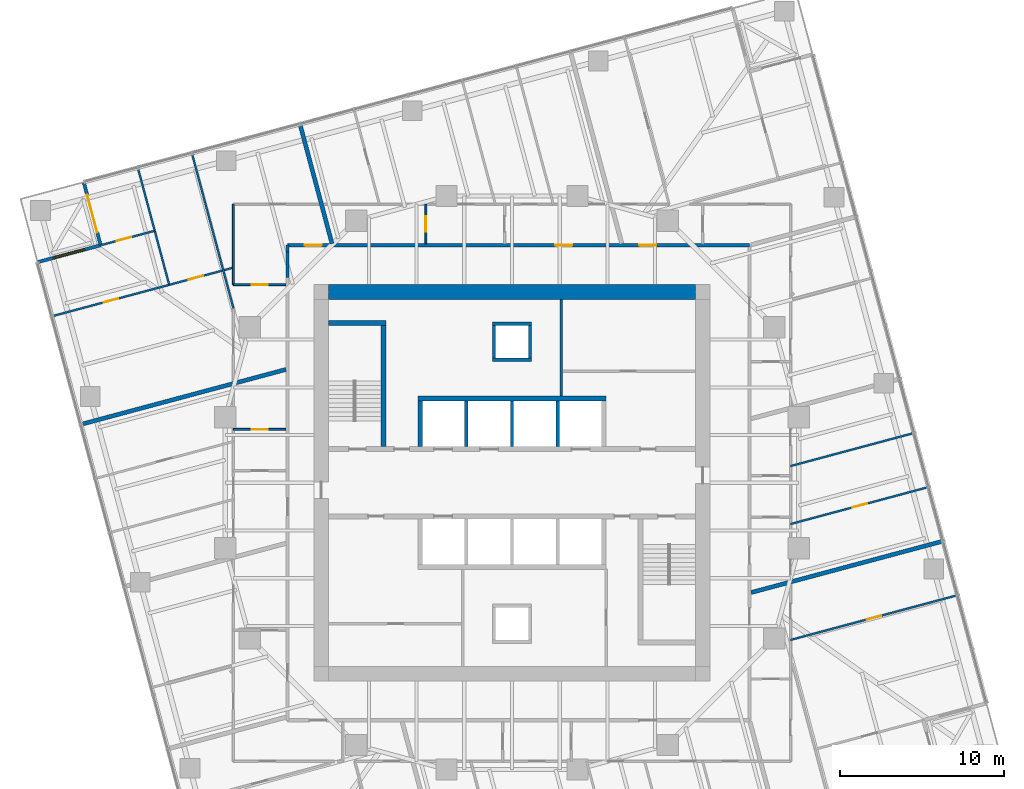
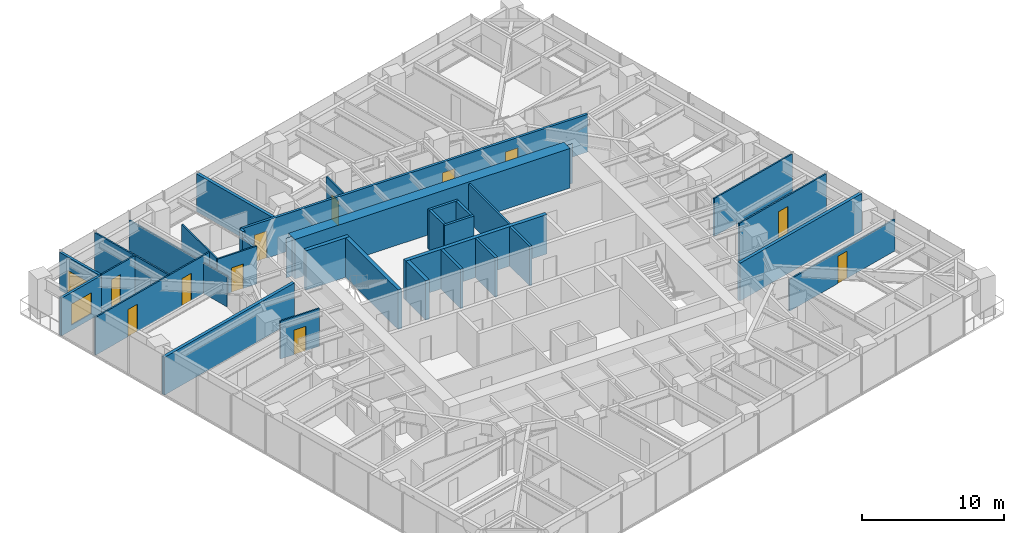
# One storey, part 11 of 14: 32 walls, 12 doors, 1 window, 13 openings.
"""IFC4 building model written with IfcOpenShell, lengths in metres."""

from ifc_helpers import new_model, si_unit, direction, frame, frame_2d, origin, place, context, subcontext, project, spatial, polyline, rectangle, outline, extrude, material, layer, layer_set, type_object, element, fill, save


model = new_model("IFC4")

# Units and contexts
model_context = context("Model", 3, precision=1e-05, world=origin(), true_north=direction((0.0, 1.0)))
body_context = subcontext(model_context, "Body", "Model", "MODEL_VIEW")
ifc_project = project(units=[si_unit("LENGTHUNIT", "METRE"), si_unit("AREAUNIT", "SQUARE_METRE"), si_unit("VOLUMEUNIT", "CUBIC_METRE"), si_unit("PLANEANGLEUNIT", "RADIAN"), si_unit("MASSUNIT", "GRAM", prefix="KILO")], contexts=[model_context])

# Site, building, storey
site_placement = place(None, origin())
site = spatial("IfcSite", under=ifc_project, at=site_placement, CompositionType="ELEMENT")
building_placement = place(site_placement, origin())
building = spatial("IfcBuilding", under=site, at=building_placement, Name="Torsade Residences", CompositionType="ELEMENT")
storey_placement = place(building_placement, frame((0.0, 0.0, 111.60009765625)))
storey = spatial("IfcBuildingStorey", under=building, at=storey_placement, Name="L30", CompositionType="ELEMENT", Elevation=111.60009765625)

# Walls
ifc_material_1 = material(Name="Concrete 80 MPa", Category="concrete")
ifc_layer_1 = layer(ifc_material_1, 0.300048828125)
ifc_layer_set_1 = layer_set([ifc_layer_1], Name="Concrete 80 MPa")
wall_type_1 = type_object("IfcWallType", Name="CORE INTERNAL WALL 300", PredefinedType="SHEAR", material=ifc_layer_set_1)
wall_1_placement = place(storey_placement, frame((34.25, 35.14990234375, 0.0), z_axis=(0.0, 0.0, 1.0), x_axis=(1.0, 0.0, 0.0)))
element("IfcWall", 1, at=wall_1_placement, inside=storey, type_object=wall_type_1, Name="Core wall BN L30", PredefinedType="SHEAR", context=body_context, shape_type="SweptSolid", body=[
    extrude(rectangle(XDim=11.5, YDim=0.300048828125, at=frame_2d((5.75, 0.0))), origin(), (0.0, 0.0, 1.0), 3.39990234375),
])
wall_2_placement = place(storey_placement, frame((34.39990234375, 32.199951171875, 0.0), z_axis=(0.0, 0.0, 1.0), x_axis=(0.0, 1.0, 0.0)))
element("IfcWall", 2, at=wall_2_placement, inside=storey, type_object=wall_type_1, Name="Core wall DN0 L30", PredefinedType="SHEAR", context=body_context, shape_type="SweptSolid", body=[
    extrude(rectangle(XDim=2.800048828125, YDim=0.300048828125, at=frame_2d((1.39990234375, 0.0))), origin(), (0.0, 0.0, 1.0), 3.39990234375),
])
wall_3_placement = place(storey_placement, frame((32.14990234375, 32.199951171875, 0.0), z_axis=(0.0, 0.0, 1.0), x_axis=(0.0, 1.0, 0.0)))
element("IfcWall", 3, at=wall_3_placement, inside=storey, type_object=wall_type_1, Name="Core wall ST1E L30", PredefinedType="SHEAR", context=body_context, shape_type="SweptSolid", body=[
    extrude(rectangle(XDim=7.699951171875, YDim=0.300048828125, at=frame_2d((3.85009765625, 0.0))), origin(), (0.0, 0.0, 1.0), 3.39990234375),
])
wall_4_placement = place(storey_placement, frame((28.800048828125, 39.75, 0.0), z_axis=(0.0, 0.0, 1.0), x_axis=(1.0, 0.0, 0.0)))
element("IfcWall", 4, at=wall_4_placement, inside=storey, type_object=wall_type_1, Name="Core wall ST1N L30", PredefinedType="SHEAR", context=body_context, shape_type="SweptSolid", body=[
    extrude(rectangle(XDim=3.5, YDim=0.300048828125, at=frame_2d((1.75, 0.0))), origin(), (0.0, 0.0, 1.0), 3.39990234375),
])
ifc_material_2 = material(Name="Concrete 80 MPa", Category="concrete")
ifc_layer_2 = layer(ifc_material_2, 0.89990234375)
ifc_layer_set_2 = layer_set([ifc_layer_2], Name="Concrete 80 MPa")
wall_type_2 = type_object("IfcWallType", Name="CORE WALL 900", PredefinedType="SHEAR", material=ifc_layer_set_2)
wall_5_placement = place(storey_placement, frame((28.800048828125, 41.64990234375, 0.0), z_axis=(0.0, 0.0, 1.0), x_axis=(1.0, 0.0, 0.0)))
element("IfcWall", 5, at=wall_5_placement, inside=storey, type_object=wall_type_2, Name="Core wall N L30", PredefinedType="SHEAR", context=body_context, shape_type="SweptSolid", body=[
    extrude(outline(polyline([(0.0, -0.449951171875), (22.39990234375, -0.449951171875), (22.39990234375, -0.02490234375), (22.849853515625, -0.02490234375), (22.849853515625, 0.02490234375), (22.39990234375, 0.02490234375), (22.39990234375, 0.449951171875), (0.0, 0.449951171875), (0.0, 0.02490234375), (-0.449951171875, 0.02490234375), (-0.449951171875, -0.02490234375), (0.0, -0.02490234375), (0.0, -0.449951171875)])), origin(), (0.0, 0.0, 1.0), 3.39990234375),
])

# Wall, openings, doors
ifc_material_3 = material(Name="Plasterboard on steel stud", Category="steel")
ifc_layer_3 = layer(ifc_material_3, 0.199951171875)
ifc_layer_set_3 = layer_set([ifc_layer_3], Name="Plasterboard on steel stud")
wall_type_3 = type_object("IfcWallType", Name="CORRIDOR WALL 200", PredefinedType="PARTITIONING", material=ifc_layer_set_3)
wall_6_placement = place(storey_placement, frame((54.5, 44.5, 0.0), z_axis=(0.0, 0.0, 1.0), x_axis=(-1.0, 0.0, 0.0)))
wall_6 = element("IfcWall", 6, at=wall_6_placement, inside=storey, type_object=wall_type_3, Name="Corridor wall L30", PredefinedType="PARTITIONING", context=body_context, shape_type="SweptSolid", body=[
    extrude(rectangle(XDim=28.199951171875, YDim=0.199951171875, at=frame_2d((14.10009765625, 0.0))), origin(), (0.0, 0.0, 1.0), 3.25),
])
opening_1_placement = place(wall_6_placement, frame((10.8369140625, 0.0, 0.0)))
opening_1 = element("IfcOpeningElement", 7, at=opening_1_placement, cuts=wall_6, Name="Opening D01", PredefinedType="OPENING", context=body_context, shape_type="SweptSolid", body=[
    extrude(rectangle(XDim=1.02001953125, YDim=2.340087890625, at=frame_2d((0.510009765625, 1.169921875))), frame((0.0, 0.10986328125, 0.0), z_axis=(0.0, -1.0, 0.0), x_axis=(1.0, 0.0, 0.0)), (0.0, 0.0, 1.0), 0.219970703125),
])
opening_2_placement = place(wall_6_placement, frame((5.699951171875, 0.0, 0.0)))
opening_2 = element("IfcOpeningElement", 8, at=opening_2_placement, cuts=wall_6, Name="Opening D01", PredefinedType="OPENING", context=body_context, shape_type="SweptSolid", body=[
    extrude(rectangle(XDim=1.02001953125, YDim=2.340087890625, at=frame_2d((0.510009765625, 1.169921875))), frame((0.0, 0.10986328125, 0.0), z_axis=(0.0, -1.0, 0.0), x_axis=(1.0, 0.0, 0.0)), (0.0, 0.0, 1.0), 0.219970703125),
])
opening_3_placement = place(wall_6_placement, frame((26.126953125, 0.0, 0.0)))
opening_3 = element("IfcOpeningElement", 9, at=opening_3_placement, cuts=wall_6, Name="Opening D01", PredefinedType="OPENING", context=body_context, shape_type="SweptSolid", body=[
    extrude(rectangle(XDim=1.02001953125, YDim=2.340087890625, at=frame_2d((0.510009765625, 1.169921875))), frame((0.0, 0.10986328125, 0.0), z_axis=(0.0, -1.0, 0.0), x_axis=(1.0, 0.0, 0.0)), (0.0, 0.0, 1.0), 0.219970703125),
])
ifc_material_4 = material(Name="Solid-core timber fire door", Category="wood")
door_type_1 = type_object("IfcDoorType", Name="APARTMENT ENTRY DOOR 1020x2340", OperationType="NOTDEFINED", PredefinedType="DOOR", material=ifc_material_4)
door_1_placement = place(opening_1_placement, origin())
door_1 = element("IfcDoor", 10, at=door_1_placement, inside=storey, type_object=door_type_1, Name="Door Residential corridor to Kitchen and dining", OperationType="SINGLE_SWING_RIGHT", OverallHeight=2.340087890625, OverallWidth=1.02001953125, PredefinedType="DOOR", context=body_context, shape_type="SweptSolid", body=[
    extrude(rectangle(XDim=1.02001953125, YDim=2.340087890625, at=frame_2d((0.510009765625, 1.169921875))), frame((0.0, 0.02490234375, 0.0), z_axis=(0.0, -1.0, 0.0), x_axis=(1.0, 0.0, 0.0)), (0.0, 0.0, 1.0), 0.050048828125),
])
fill(opening_1, door_1)
door_2_placement = place(opening_2_placement, origin())
door_2 = element("IfcDoor", 11, at=door_2_placement, inside=storey, type_object=door_type_1, Name="Door Residential corridor to Kitchen and dining", OperationType="SINGLE_SWING_RIGHT", OverallHeight=2.340087890625, OverallWidth=1.02001953125, PredefinedType="DOOR", context=body_context, shape_type="SweptSolid", body=[
    extrude(rectangle(XDim=1.02001953125, YDim=2.340087890625, at=frame_2d((0.510009765625, 1.169921875))), frame((0.0, 0.02490234375, 0.0), z_axis=(0.0, -1.0, 0.0), x_axis=(1.0, 0.0, 0.0)), (0.0, 0.0, 1.0), 0.050048828125),
])
fill(opening_2, door_2)
door_3_placement = place(opening_3_placement, origin())
door_3 = element("IfcDoor", 12, at=door_3_placement, inside=storey, type_object=door_type_1, Name="Door Residential corridor to Kitchen and dining", OperationType="SINGLE_SWING_RIGHT", OverallHeight=2.340087890625, OverallWidth=1.02001953125, PredefinedType="DOOR", context=body_context, shape_type="SweptSolid", body=[
    extrude(rectangle(XDim=1.02001953125, YDim=2.340087890625, at=frame_2d((0.510009765625, 1.169921875))), frame((0.0, 0.02490234375, 0.0), z_axis=(0.0, -1.0, 0.0), x_axis=(1.0, 0.0, 0.0)), (0.0, 0.0, 1.0), 0.050048828125),
])
fill(opening_3, door_3)

# Walls
wall_7_placement = place(storey_placement, frame((26.300048828125, 44.5, 0.0), z_axis=(0.0, 0.0, 1.0), x_axis=(0.0, -1.0, 0.0)))
element("IfcWall", 13, at=wall_7_placement, inside=storey, type_object=wall_type_3, Name="Corridor wall L30", PredefinedType="PARTITIONING", context=body_context, shape_type="SweptSolid", body=[
    extrude(rectangle(XDim=0.426025390625, YDim=0.199951171875, at=frame_2d((0.212890625, 0.0))), origin(), (0.0, 0.0, 1.0), 3.25),
])
wall_8_placement = place(storey_placement, frame((26.300048828125, 44.073974609375, 0.0), z_axis=(0.0, 0.0, 1.0), x_axis=(0.0, -1.0, 0.0)))
element("IfcWall", 14, at=wall_8_placement, inside=storey, type_object=wall_type_3, Name="Corridor wall L30", PredefinedType="PARTITIONING", context=body_context, shape_type="SweptSolid", body=[
    extrude(rectangle(XDim=1.553955078125, YDim=0.199951171875, at=frame_2d((0.77685546875, 0.0))), origin(), (0.0, 0.0, 1.0), 2.721923828125),
])
ifc_material_5 = material(Name="Reinforced blockwork", Category="masonry")
ifc_layer_4 = layer(ifc_material_5, 0.199951171875)
ifc_layer_set_4 = layer_set([ifc_layer_4], Name="Reinforced blockwork")
wall_type_4 = type_object("IfcWallType", Name="LIFT SHAFT DIVIDING WALL 200", PredefinedType="SOLIDWALL", material=ifc_layer_set_4)
for number, where, z_axis, x_axis, name in (
    (15, (37.199951171875, 32.199951171875, 0.0), (0.0, 0.0, 1.0), (0.0, 1.0, 0.0), "Core wall DN1 L30"),
    (16, (40.0, 32.199951171875, 0.0), (0.0, 0.0, 1.0), (0.0, 1.0, 0.0), "Core wall DN2 L30"),
    (17, (42.800048828125, 32.199951171875, 0.0), (0.0, 0.0, 1.0), (0.0, 1.0, 0.0), "Core wall DN3 L30"),
):
    element("IfcWall", number, at=place(storey_placement, frame(where, z_axis=z_axis, x_axis=x_axis)), inside=storey, type_object=wall_type_4, Name=name, PredefinedType="SOLIDWALL", context=body_context, shape_type="SweptSolid", body=[
        extrude(rectangle(XDim=2.800048828125, YDim=0.199951171875, at=frame_2d((1.39990234375, 0.0))), origin(), (0.0, 0.0, 1.0), 3.39990234375),
    ])

# Wall, opening, door
ifc_material_6 = material(Name="Plasterboard on steel stud", Category="steel")
ifc_layer_5 = layer(ifc_material_6, 0.1201171875)
ifc_layer_set_5 = layer_set([ifc_layer_5], Name="Plasterboard on steel stud")
wall_type_5 = type_object("IfcWallType", Name="PARTITION 120", PredefinedType="PARTITIONING", material=ifc_layer_set_5)
wall_9_placement = place(storey_placement, frame((57.0, 20.40625, 0.0), z_axis=(0.0, 0.0, 1.0), x_axis=(0.9659257847, 0.258819200315, 0.0)))
wall_9 = element("IfcWall", 18, at=wall_9_placement, inside=storey, type_object=wall_type_5, Name="Partition L30", PredefinedType="PARTITIONING", context=body_context, shape_type="SweptSolid", body=[
    extrude(rectangle(XDim=10.5224609375, YDim=0.1201171875, at=frame_2d((5.26123046875, 0.0))), origin(), (0.0, 0.0, 1.0), 2.721923828125),
])
opening_4_placement = place(wall_9_placement, frame((4.821044921875, 0.0, 0.0)))
opening_4 = element("IfcOpeningElement", 19, at=opening_4_placement, cuts=wall_9, Name="Opening D02", PredefinedType="OPENING", context=body_context, shape_type="SweptSolid", body=[
    extrude(rectangle(XDim=0.919921875, YDim=2.340087890625, at=frame_2d((0.4599609375, 1.169921875))), frame((0.0, 0.070068359375, 0.0), z_axis=(0.0, -1.0, 0.0), x_axis=(1.0, 0.0, 0.0)), (0.0, 0.0, 1.0), 0.14013671875),
])
ifc_material_7 = material(Name="Hollow-core timber door", Category="wood")
door_type_2 = type_object("IfcDoorType", Name="INTERNAL DOOR 920x2340", OperationType="NOTDEFINED", PredefinedType="DOOR", material=ifc_material_7)
door_4_placement = place(opening_4_placement, origin())
door_4 = element("IfcDoor", 20, at=door_4_placement, inside=storey, type_object=door_type_2, Name="Door Bedroom 1 to Living room", OperationType="SINGLE_SWING_RIGHT", OverallHeight=2.340087890625, OverallWidth=0.919921875, PredefinedType="DOOR", context=body_context, shape_type="SweptSolid", body=[
    extrude(rectangle(XDim=0.919921875, YDim=2.340087890625, at=frame_2d((0.4599609375, 1.169921875))), frame((0.0, 0.02490234375, 0.0), z_axis=(0.0, -1.0, 0.0), x_axis=(1.0, 0.0, 0.0)), (0.0, 0.0, 1.0), 0.050048828125),
])
fill(opening_4, door_4)

wall_10_placement = place(storey_placement, frame((57.0, 27.480712890625, 0.0), z_axis=(0.0, 0.0, 1.0), x_axis=(0.965925607751, 0.258819860698, 0.0)))
wall_10 = element("IfcWall", 21, at=wall_10_placement, inside=storey, type_object=wall_type_5, Name="Partition L30", PredefinedType="PARTITIONING", context=body_context, shape_type="SweptSolid", body=[
    extrude(rectangle(XDim=8.69140625, YDim=0.1201171875, at=frame_2d((4.345703125, 0.0))), origin(), (0.0, 0.0, 1.0), 3.25),
])
opening_5_placement = place(wall_10_placement, frame((3.90576171875, 0.0, 0.0)))
opening_5 = element("IfcOpeningElement", 22, at=opening_5_placement, cuts=wall_10, Name="Opening D02", PredefinedType="OPENING", context=body_context, shape_type="SweptSolid", body=[
    extrude(rectangle(XDim=0.919921875, YDim=2.340087890625, at=frame_2d((0.4599609375, 1.169921875))), frame((0.0, 0.070068359375, 0.0), z_axis=(0.0, -1.0, 0.0), x_axis=(1.0, 0.0, 0.0)), (0.0, 0.0, 1.0), 0.14013671875),
])
door_5_placement = place(opening_5_placement, origin())
door_5 = element("IfcDoor", 23, at=door_5_placement, inside=storey, type_object=door_type_2, Name="Door Living room to Bedroom 1", OperationType="SINGLE_SWING_LEFT", OverallHeight=2.340087890625, OverallWidth=0.919921875, PredefinedType="DOOR", context=body_context, shape_type="SweptSolid", body=[
    extrude(rectangle(XDim=0.919921875, YDim=2.340087890625, at=frame_2d((0.4599609375, 1.169921875))), frame((0.0, 0.02490234375, 0.0), z_axis=(0.0, -1.0, 0.0), x_axis=(1.0, 0.0, 0.0)), (0.0, 0.0, 1.0), 0.050048828125),
])
fill(opening_5, door_5)

# Wall
wall_11_placement = place(storey_placement, frame((57.0, 31.01806640625, 0.0), z_axis=(0.0, 0.0, 1.0), x_axis=(0.965927309482, 0.258813509689, 0.0)))
element("IfcWall", 24, at=wall_11_placement, inside=storey, type_object=wall_type_5, Name="Partition L30", PredefinedType="PARTITIONING", context=body_context, shape_type="SweptSolid", body=[
    extrude(rectangle(XDim=7.775634765625, YDim=0.1201171875, at=frame_2d((3.8876953125, 0.0))), origin(), (0.0, 0.0, 1.0), 3.25),
])

# Wall, opening, door
wall_12_placement = place(storey_placement, frame((34.74462890625, 47.0, 0.0), z_axis=(0.0, 0.0, 1.0), x_axis=(0.0, -1.0, 0.0)))
wall_12 = element("IfcWall", 25, at=wall_12_placement, inside=storey, type_object=wall_type_5, Name="Partition L30", PredefinedType="PARTITIONING", context=body_context, shape_type="SweptSolid", body=[
    extrude(rectangle(XDim=2.39990234375, YDim=0.1201171875, at=frame_2d((1.199951171875, 0.0))), origin(), (0.0, 0.0, 1.0), 3.25),
])
opening_6_placement = place(wall_12_placement, frame((0.719970703125, 0.0, 0.0)))
opening_6 = element("IfcOpeningElement", 26, at=opening_6_placement, cuts=wall_12, Name="Opening D05", PredefinedType="OPENING", context=body_context, shape_type="SweptSolid", body=[
    extrude(rectangle(XDim=0.9599609375, YDim=2.10009765625, at=frame_2d((0.47998046875, 1.050048828125))), frame((0.0, 0.070068359375, 0.0), z_axis=(0.0, -1.0, 0.0), x_axis=(1.0, 0.0, 0.0)), (0.0, 0.0, 1.0), 0.14013671875),
])
ifc_material_8 = material(Name="Hollow-core timber door in a steel cavity frame", Category="steel")
door_type_3 = type_object("IfcDoorType", Name="BATHROOM CAVITY SLIDING DOOR 960", OperationType="SLIDING_TO_LEFT", PredefinedType="DOOR", material=ifc_material_8)
door_6_placement = place(opening_6_placement, origin())
door_6 = element("IfcDoor", 27, at=door_6_placement, inside=storey, type_object=door_type_3, Name="Door Ensuite to Bathroom", OperationType="SLIDING_TO_LEFT", OverallHeight=2.10009765625, OverallWidth=0.9599609375, PredefinedType="DOOR", context=body_context, shape_type="SweptSolid", body=[
    extrude(rectangle(XDim=0.9599609375, YDim=2.10009765625, at=frame_2d((0.47998046875, 1.050048828125))), frame((0.0, 0.02490234375, 0.0), z_axis=(0.0, -1.0, 0.0), x_axis=(1.0, 0.0, 0.0)), (0.0, 0.0, 1.0), 0.050048828125),
])
fill(opening_6, door_6)

wall_13_placement = place(storey_placement, frame((26.199951171875, 42.088623046875, 0.0), z_axis=(0.0, 0.0, 1.0), x_axis=(-1.0, 0.0, 0.0)))
wall_13 = element("IfcWall", 28, at=wall_13_placement, inside=storey, type_object=wall_type_5, Name="Partition L30", PredefinedType="PARTITIONING", context=body_context, shape_type="SweptSolid", body=[
    extrude(rectangle(XDim=3.199951171875, YDim=0.1201171875, at=frame_2d((1.60009765625, 0.0))), origin(), (0.0, 0.0, 1.0), 3.25),
])
opening_7_placement = place(wall_13_placement, frame((1.1201171875, 0.0, 0.0)))
opening_7 = element("IfcOpeningElement", 29, at=opening_7_placement, cuts=wall_13, Name="Opening D05", PredefinedType="OPENING", context=body_context, shape_type="SweptSolid", body=[
    extrude(rectangle(XDim=0.9599609375, YDim=2.10009765625, at=frame_2d((0.47998046875, 1.050048828125))), frame((0.0, 0.070068359375, 0.0), z_axis=(0.0, -1.0, 0.0), x_axis=(1.0, 0.0, 0.0)), (0.0, 0.0, 1.0), 0.14013671875),
])
door_7_placement = place(opening_7_placement, origin())
door_7 = element("IfcDoor", 30, at=door_7_placement, inside=storey, type_object=door_type_3, Name="Door Kitchen and dining to Bathroom", OperationType="SLIDING_TO_LEFT", OverallHeight=2.10009765625, OverallWidth=0.9599609375, PredefinedType="DOOR", context=body_context, shape_type="SweptSolid", body=[
    extrude(rectangle(XDim=0.9599609375, YDim=2.10009765625, at=frame_2d((0.47998046875, 1.050048828125))), frame((0.0, 0.02490234375, 0.0), z_axis=(0.0, -1.0, 0.0), x_axis=(1.0, 0.0, 0.0)), (0.0, 0.0, 1.0), 0.050048828125),
])
fill(opening_7, door_7)

# Walls
wall_14_placement = place(storey_placement, frame((23.0, 42.088623046875, 0.0), z_axis=(0.0, 0.0, 1.0), x_axis=(0.0, 1.0, 0.0)))
element("IfcWall", 31, at=wall_14_placement, inside=storey, type_object=wall_type_5, Name="Partition L30", PredefinedType="PARTITIONING", context=body_context, shape_type="SweptSolid", body=[
    extrude(rectangle(XDim=4.911376953125, YDim=0.1201171875, at=frame_2d((2.45556640625, 0.0))), origin(), (0.0, 0.0, 1.0), 3.25),
])
wall_15_placement = place(storey_placement, frame((23.0, 40.6396484375, 0.0), z_axis=(0.0, 0.0, 1.0), x_axis=(-0.258790139317, 0.965933571108, 0.0)))
element("IfcWall", 32, at=wall_15_placement, inside=storey, type_object=wall_type_5, Name="Partition L30", PredefinedType="PARTITIONING", context=body_context, shape_type="SweptSolid", body=[
    extrude(rectangle(XDim=9.782958984375, YDim=0.1201171875, at=frame_2d((4.8916015625, 0.0))), origin(), (0.0, 0.0, 1.0), 2.637939453125),
])

# Wall, openings, doors
wall_16_placement = place(storey_placement, frame((11.951904296875, 40.17041015625, 0.0), z_axis=(0.0, 0.0, 1.0), x_axis=(0.965923183761, 0.258828906952, 0.0)))
wall_16 = element("IfcWall", 33, at=wall_16_placement, inside=storey, type_object=wall_type_5, Name="Partition L30", PredefinedType="PARTITIONING", context=body_context, shape_type="SweptSolid", body=[
    extrude(rectangle(XDim=11.437744140625, YDim=0.1201171875, at=frame_2d((5.71875, 0.0))), origin(), (0.0, 0.0, 1.0), 3.25),
])
opening_8_placement = place(wall_16_placement, frame((3.2333984375, 0.0, 0.0)))
opening_8 = element("IfcOpeningElement", 34, at=opening_8_placement, cuts=wall_16, Name="Opening D02", PredefinedType="OPENING", context=body_context, shape_type="SweptSolid", body=[
    extrude(rectangle(XDim=0.919921875, YDim=2.340087890625, at=frame_2d((0.4599609375, 1.169921875))), frame((0.0, 0.070068359375, 0.0), z_axis=(0.0, -1.0, 0.0), x_axis=(1.0, 0.0, 0.0)), (0.0, 0.0, 1.0), 0.14013671875),
])
opening_9_placement = place(wall_16_placement, frame((8.60009765625, 0.0, 0.0)))
opening_9 = element("IfcOpeningElement", 35, at=opening_9_placement, cuts=wall_16, Name="Opening D02", PredefinedType="OPENING", context=body_context, shape_type="SweptSolid", body=[
    extrude(rectangle(XDim=0.919921875, YDim=2.340087890625, at=frame_2d((0.4599609375, 1.169921875))), frame((0.0, 0.070068359375, 0.0), z_axis=(0.0, -1.0, 0.0), x_axis=(1.0, 0.0, 0.0)), (0.0, 0.0, 1.0), 0.14013671875),
])
door_8_placement = place(opening_8_placement, origin())
door_8 = element("IfcDoor", 36, at=door_8_placement, inside=storey, type_object=door_type_2, Name="Door Living room to Bedroom 3", OperationType="SINGLE_SWING_RIGHT", OverallHeight=2.340087890625, OverallWidth=0.919921875, PredefinedType="DOOR", context=body_context, shape_type="SweptSolid", body=[
    extrude(rectangle(XDim=0.919921875, YDim=2.340087890625, at=frame_2d((0.4599609375, 1.169921875))), frame((0.0, 0.02490234375, 0.0), z_axis=(0.0, -1.0, 0.0), x_axis=(1.0, 0.0, 0.0)), (0.0, 0.0, 1.0), 0.050048828125),
])
fill(opening_8, door_8)
door_9_placement = place(opening_9_placement, origin())
door_9 = element("IfcDoor", 37, at=door_9_placement, inside=storey, type_object=door_type_2, Name="Door Living room to Bedroom 2", OperationType="SINGLE_SWING_LEFT", OverallHeight=2.340087890625, OverallWidth=0.919921875, PredefinedType="DOOR", context=body_context, shape_type="SweptSolid", body=[
    extrude(rectangle(XDim=0.919921875, YDim=2.340087890625, at=frame_2d((0.4599609375, 1.169921875))), frame((0.0, 0.02490234375, 0.0), z_axis=(0.0, -1.0, 0.0), x_axis=(1.0, 0.0, 0.0)), (0.0, 0.0, 1.0), 0.050048828125),
])
fill(opening_9, door_9)

# Wall
wall_17_placement = place(storey_placement, frame((19.077392578125, 42.079833984375, 0.0), z_axis=(0.0, 0.0, 1.0), x_axis=(-0.258846923464, 0.965918355874, 0.0)))
element("IfcWall", 38, at=wall_17_placement, inside=storey, type_object=wall_type_5, Name="Partition L30", PredefinedType="PARTITIONING", context=body_context, shape_type="SweptSolid", body=[
    extrude(rectangle(XDim=7.376708984375, YDim=0.1201171875, at=frame_2d((3.6884765625, 0.0))), origin(), (0.0, 0.0, 1.0), 3.25),
])

# Wall, opening, door
wall_18_placement = place(storey_placement, frame((14.931396484375, 44.506103515625, 0.0), z_axis=(0.0, 0.0, 1.0), x_axis=(0.96593546512, 0.258783069815, 0.0)))
wall_18 = element("IfcWall", 39, at=wall_18_placement, inside=storey, type_object=wall_type_5, Name="Partition L30", PredefinedType="PARTITIONING", context=body_context, shape_type="SweptSolid", body=[
    extrude(rectangle(XDim=3.37646484375, YDim=0.1201171875, at=frame_2d((1.688232421875, 0.0))), origin(), (0.0, 0.0, 1.0), 3.25),
])
opening_10_placement = place(wall_18_placement, frame((0.971435546875, 0.0, 0.0)))
opening_10 = element("IfcOpeningElement", 40, at=opening_10_placement, cuts=wall_18, Name="Opening D02", PredefinedType="OPENING", context=body_context, shape_type="SweptSolid", body=[
    extrude(rectangle(XDim=0.919921875, YDim=2.340087890625, at=frame_2d((0.4599609375, 1.169921875))), frame((0.0, 0.070068359375, 0.0), z_axis=(0.0, -1.0, 0.0), x_axis=(1.0, 0.0, 0.0)), (0.0, 0.0, 1.0), 0.14013671875),
])
door_10_placement = place(opening_10_placement, origin())
door_10 = element("IfcDoor", 41, at=door_10_placement, inside=storey, type_object=door_type_2, Name="Door Bedroom 3 to Study", OperationType="SINGLE_SWING_RIGHT", OverallHeight=2.340087890625, OverallWidth=0.919921875, PredefinedType="DOOR", context=body_context, shape_type="SweptSolid", body=[
    extrude(rectangle(XDim=0.919921875, YDim=2.340087890625, at=frame_2d((0.4599609375, 1.169921875))), frame((0.0, 0.02490234375, 0.0), z_axis=(0.0, -1.0, 0.0), x_axis=(1.0, 0.0, 0.0)), (0.0, 0.0, 1.0), 0.050048828125),
])
fill(opening_10, door_10)

wall_19_placement = place(storey_placement, frame((26.199951171875, 33.2529296875, 0.0), z_axis=(0.0, 0.0, 1.0), x_axis=(-1.0, 0.0, 0.0)))
wall_19 = element("IfcWall", 42, at=wall_19_placement, inside=storey, type_object=wall_type_5, Name="Partition L30", PredefinedType="PARTITIONING", context=body_context, shape_type="SweptSolid", body=[
    extrude(rectangle(XDim=3.199951171875, YDim=0.1201171875, at=frame_2d((1.60009765625, 0.0))), origin(), (0.0, 0.0, 1.0), 3.25),
])
opening_11_placement = place(wall_19_placement, frame((1.1201171875, 0.0, 0.0)))
opening_11 = element("IfcOpeningElement", 43, at=opening_11_placement, cuts=wall_19, Name="Opening D05", PredefinedType="OPENING", context=body_context, shape_type="SweptSolid", body=[
    extrude(rectangle(XDim=0.9599609375, YDim=2.10009765625, at=frame_2d((0.47998046875, 1.050048828125))), frame((0.0, 0.070068359375, 0.0), z_axis=(0.0, -1.0, 0.0), x_axis=(1.0, 0.0, 0.0)), (0.0, 0.0, 1.0), 0.14013671875),
])
door_11_placement = place(opening_11_placement, origin())
door_11 = element("IfcDoor", 44, at=door_11_placement, inside=storey, type_object=door_type_3, Name="Door Ensuite to Bathroom", OperationType="SLIDING_TO_LEFT", OverallHeight=2.10009765625, OverallWidth=0.9599609375, PredefinedType="DOOR", context=body_context, shape_type="SweptSolid", body=[
    extrude(rectangle(XDim=0.9599609375, YDim=2.10009765625, at=frame_2d((0.47998046875, 1.050048828125))), frame((0.0, 0.02490234375, 0.0), z_axis=(0.0, -1.0, 0.0), x_axis=(1.0, 0.0, 0.0)), (0.0, 0.0, 1.0), 0.050048828125),
])
fill(opening_11, door_11)

# Walls
ifc_material_9 = material(Name="Masonry-lined stud party wall", Category="masonry")
ifc_layer_6 = layer(ifc_material_9, 0.25)
ifc_layer_set_6 = layer_set([ifc_layer_6], Name="Masonry-lined stud party wall")
wall_type_6 = type_object("IfcWallType", Name="PARTY WALL 250", PredefinedType="PARTITIONING", material=ifc_layer_set_6)
wall_20_placement = place(storey_placement, frame((27.058349609375, 51.896484375, 0.0), z_axis=(0.0, 0.0, 1.0), x_axis=(0.258822171171, -0.965924988656, 0.0)))
element("IfcWall", 45, at=wall_20_placement, inside=storey, type_object=wall_type_6, Name="Party wall L30", PredefinedType="PARTITIONING", context=body_context, shape_type="SweptSolid", body=[
    extrude(rectangle(XDim=7.560302734375, YDim=0.25, at=frame_2d((3.7802734375, 0.0))), origin(), (0.0, 0.0, 1.0), 3.25),
])
wall_21_placement = place(storey_placement, frame((13.681884765625, 33.5595703125, 0.0), z_axis=(0.0, 0.0, 1.0), x_axis=(0.965924854576, 0.258822671559, 0.0)))
element("IfcWall", 46, at=wall_21_placement, inside=storey, type_object=wall_type_6, Name="Party wall L30", PredefinedType="PARTITIONING", context=body_context, shape_type="SweptSolid", body=[
    extrude(rectangle(XDim=12.96630859375, YDim=0.25, at=frame_2d((6.483154296875, 0.0))), origin(), (0.0, 0.0, 1.0), 3.25),
])
wall_22_placement = place(storey_placement, frame((66.318115234375, 26.4404296875, 0.0), z_axis=(0.0, 0.0, 1.0), x_axis=(-0.965924438766, -0.258824223352, 0.0)))
element("IfcWall", 47, at=wall_22_placement, inside=storey, type_object=wall_type_6, Name="Party wall L30", PredefinedType="PARTITIONING", context=body_context, shape_type="SweptSolid", body=[
    extrude(rectangle(XDim=12.137939453125, YDim=0.25, at=frame_2d((6.06884765625, 0.0))), origin(), (0.0, 0.0, 1.0), 3.25),
])
ifc_material_10 = material(Name="Reinforced blockwork", Category="masonry")
ifc_layer_7 = layer(ifc_material_10, 0.199951171875)
ifc_layer_set_7 = layer_set([ifc_layer_7], Name="Reinforced blockwork")
wall_type_7 = type_object("IfcWallType", Name="RISER SHAFT WALL 200", PredefinedType="SOLIDWALL", material=ifc_layer_set_7)
for number, where, z_axis, x_axis, name in (
    (48, (38.89990234375, 37.60009765625, 0.0), (0.0, 0.0, 1.0), (0.0, 1.0, 0.0), "Core wall RS1a L30"),
    (49, (41.10009765625, 37.60009765625, 0.0), (0.0, 0.0, 1.0), (0.0, 1.0, 0.0), "Core wall RS1b L30"),
):
    element("IfcWall", number, at=place(storey_placement, frame(where, z_axis=z_axis, x_axis=x_axis)), inside=storey, type_object=wall_type_7, Name=name, PredefinedType="SOLIDWALL", context=body_context, shape_type="SweptSolid", body=[
        extrude(rectangle(XDim=2.0, YDim=0.199951171875, at=frame_2d((1.0, 0.0))), origin(), (0.0, 0.0, 1.0), 3.39990234375),
    ])
for number, where, z_axis, x_axis, name in (
    (50, (38.800048828125, 37.5, 0.0), (0.0, 0.0, 1.0), (1.0, 0.0, 0.0), "Core wall RS1c L30"),
    (51, (38.800048828125, 39.699951171875, 0.0), (0.0, 0.0, 1.0), (1.0, 0.0, 0.0), "Core wall RS1d L30"),
):
    element("IfcWall", number, at=place(storey_placement, frame(where, z_axis=z_axis, x_axis=x_axis)), inside=storey, type_object=wall_type_7, Name=name, PredefinedType="SOLIDWALL", context=body_context, shape_type="SweptSolid", body=[
        extrude(rectangle(XDim=2.39990234375, YDim=0.199951171875, at=frame_2d((1.199951171875, 0.0))), origin(), (0.0, 0.0, 1.0), 3.39990234375),
    ])
ifc_material_11 = material(Name="Reinforced blockwork", Category="masonry")
ifc_layer_8 = layer(ifc_material_11, 0.14990234375)
ifc_layer_set_8 = layer_set([ifc_layer_8], Name="Reinforced blockwork")
wall_type_8 = type_object("IfcWallType", Name="SERVICE ROOM WALL 150", PredefinedType="SOLIDWALL", material=ifc_layer_set_8)
wall_23_placement = place(storey_placement, frame((43.0, 41.199951171875, 0.0), z_axis=(0.0, 0.0, 1.0), x_axis=(0.0, -1.0, 0.0)))
element("IfcWall", 52, at=wall_23_placement, inside=storey, type_object=wall_type_8, Name="Service room wall L30", PredefinedType="SOLIDWALL", context=body_context, shape_type="SweptSolid", body=[
    extrude(rectangle(XDim=5.89990234375, YDim=0.14990234375, at=frame_2d((2.949951171875, 0.0))), origin(), (0.0, 0.0, 1.0), 3.25),
])

# Wall, opening, door
ifc_material_12 = material(Name="Stone-faced precast concrete 40 MPa panel", Category="masonry")
ifc_layer_9 = layer(ifc_material_12, 0.199951171875)
ifc_layer_set_9 = layer_set([ifc_layer_9], Name="Stone-faced precast concrete 40 MPa panel")
wall_type_9 = type_object("IfcWallType", Name="TERRACE WALL 200", PredefinedType="SOLIDWALL", material=ifc_layer_set_9)
wall_24_placement = place(storey_placement, frame((13.857421875, 48.359375, 0.0), z_axis=(0.0, 0.0, 1.0), x_axis=(0.258843877716, -0.965919172068, 0.0)))
wall_24 = element("IfcWall", 53, at=wall_24_placement, inside=storey, type_object=wall_type_9, Name="Terrace wall L30 8", PredefinedType="SOLIDWALL", context=body_context, shape_type="SweptSolid", body=[
    extrude(rectangle(XDim=4.0, YDim=0.199951171875, at=frame_2d((2.0, 0.0))), origin(), (0.0, 0.0, 1.0), 3.25),
])
opening_12_placement = place(wall_24_placement, frame((0.800048828125, 0.0, 0.0)))
opening_12 = element("IfcOpeningElement", 54, at=opening_12_placement, cuts=wall_24, Name="Opening D10A", PredefinedType="OPENING", context=body_context, shape_type="SweptSolid", body=[
    extrude(rectangle(XDim=2.39990234375, YDim=2.10009765625, at=frame_2d((1.199951171875, 1.050048828125))), frame((0.0, 0.10986328125, 0.0), z_axis=(0.0, -1.0, 0.0), x_axis=(1.0, 0.0, 0.0)), (0.0, 0.0, 1.0), 0.219970703125),
])
ifc_material_13 = material(Name="Aluminium-framed glass door", Category="aluminium")
door_type_4 = type_object("IfcDoorType", Name="TERRACE SLIDING DOOR 2400x2100", OperationType="SLIDING_TO_LEFT", PredefinedType="DOOR", material=ifc_material_13)
door_12_placement = place(opening_12_placement, origin())
door_12 = element("IfcDoor", 55, at=door_12_placement, inside=storey, type_object=door_type_4, Name="Terrace door L30 8", OperationType="SLIDING_TO_LEFT", OverallHeight=2.10009765625, OverallWidth=2.39990234375, PredefinedType="DOOR", context=body_context, shape_type="SweptSolid", body=[
    extrude(rectangle(XDim=2.39990234375, YDim=2.10009765625, at=frame_2d((1.199951171875, 1.050048828125))), frame((0.0, 0.02490234375, 0.0), z_axis=(0.0, -1.0, 0.0), x_axis=(1.0, 0.0, 0.0)), (0.0, 0.0, 1.0), 0.050048828125),
])
fill(opening_12, door_12)

# Wall, opening, window
wall_25_placement = place(storey_placement, frame((14.892822265625, 44.49560546875, 0.0), z_axis=(0.0, 0.0, 1.0), x_axis=(-0.965934430412, -0.258786931944, 0.0)))
wall_25 = element("IfcWall", 56, at=wall_25_placement, inside=storey, type_object=wall_type_9, Name="Terrace wall L30 9", PredefinedType="SOLIDWALL", context=body_context, shape_type="SweptSolid", body=[
    extrude(rectangle(XDim=4.0, YDim=0.199951171875, at=frame_2d((2.0, 0.0))), origin(), (0.0, 0.0, 1.0), 3.25),
])
opening_13_placement = place(wall_25_placement, frame((1.0, 0.0, 0.449951171875)))
opening_13 = element("IfcOpeningElement", 57, at=opening_13_placement, cuts=wall_25, Name="Opening W1B", PredefinedType="OPENING", context=body_context, shape_type="SweptSolid", body=[
    extrude(rectangle(XDim=2.0, YDim=1.800048828125, at=frame_2d((1.0, 0.89990234375))), frame((0.0, 0.10986328125, 0.0), z_axis=(0.0, -1.0, 0.0), x_axis=(1.0, 0.0, 0.0)), (0.0, 0.0, 1.0), 0.219970703125),
])
ifc_material_14 = material(Name="Aluminium-framed glass window", Category="aluminium")
window_type = type_object("IfcWindowType", Name="TERRACE WINDOW 2000x1800", PartitioningType="SINGLE_PANEL", PredefinedType="WINDOW", material=ifc_material_14)
window_placement = place(opening_13_placement, origin())
window = element("IfcWindow", 58, at=window_placement, inside=storey, type_object=window_type, Name="Terrace window L30 9", OverallHeight=1.800048828125, OverallWidth=2.0, PartitioningType="SINGLE_PANEL", PredefinedType="WINDOW", context=body_context, shape_type="SweptSolid", body=[
    extrude(rectangle(XDim=2.0, YDim=1.800048828125, at=frame_2d((1.0, 0.89990234375))), frame((0.0, 0.030029296875, 0.0), z_axis=(0.0, -1.0, 0.0), x_axis=(1.0, 0.0, 0.0)), (0.0, 0.0, 1.0), 0.06005859375),
])
fill(opening_13, window)

save(model, "model.ifc")
